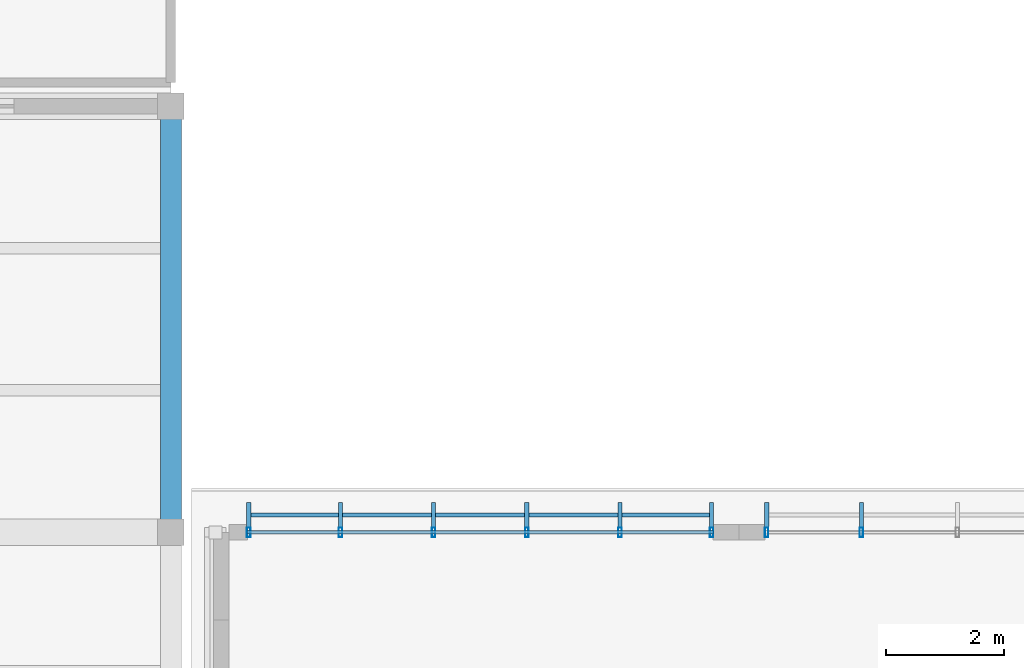
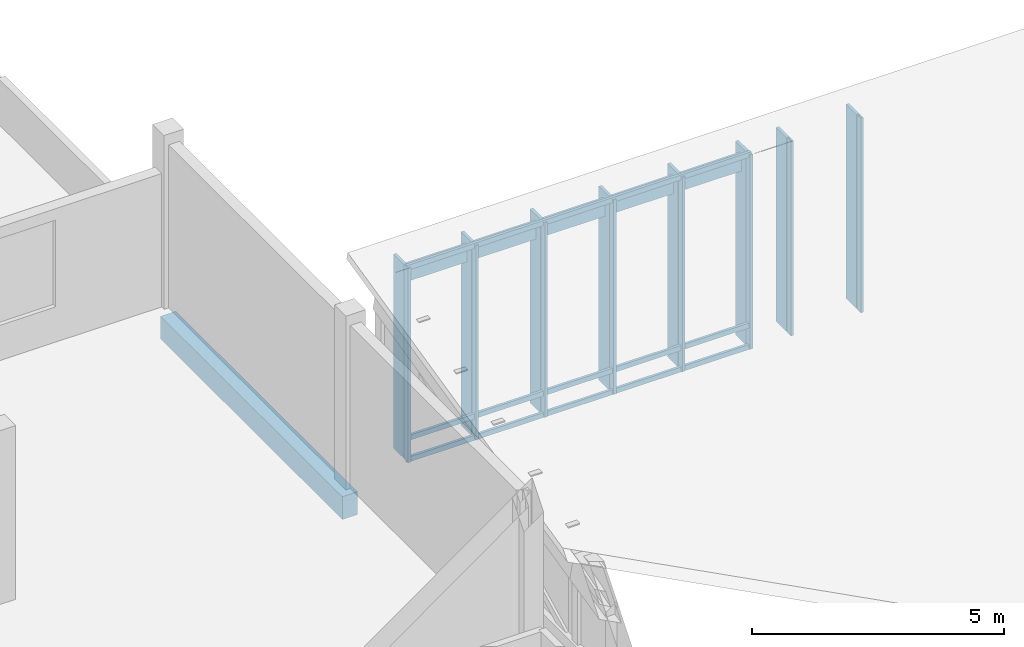
# One storey, part 43 of 182: 20 members, 1 beam, 2 elements without a shape of their own.
"""IFC4 building model written with IfcOpenShell, lengths in metres."""

from ifc_helpers import new_model, si_unit, direction, frame, origin, origin_2d, place, context, subcontext, project, spatial, rectangle, hollow_rectangle, extrude, material, material_profile, profile_set, type_object, element, aggregate, save


model = new_model("IFC4")

# Units and contexts
model_context = context("Model", 3, precision=1e-05, world=origin(), true_north=direction((0.0, 1.0)))
body_context = subcontext(model_context, "Body", "Model", "MODEL_VIEW")
ifc_project = project(units=[si_unit("LENGTHUNIT", "METRE"), si_unit("AREAUNIT", "SQUARE_METRE"), si_unit("VOLUMEUNIT", "CUBIC_METRE"), si_unit("PLANEANGLEUNIT", "RADIAN"), si_unit("MASSUNIT", "GRAM", prefix="KILO")], contexts=[model_context])

# Site, building, storey
site_placement = place(None, origin())
site = spatial("IfcSite", under=ifc_project, at=site_placement, CompositionType="ELEMENT")
building_placement = place(site_placement, origin())
building = spatial("IfcBuilding", under=site, at=building_placement, Name="Chiffa Square Polytechnic", CompositionType="ELEMENT")
storey_placement = place(building_placement, frame((0.0, 0.0, 9.60009765625)))
storey = spatial("IfcBuildingStorey", under=building, at=storey_placement, Name="L02", CompositionType="ELEMENT", Elevation=9.60009765625)

# Beam
ifc_material_1 = material(Name="Concrete C35/45", Category="concrete")
ifc_material_profile_1 = material_profile(ifc_material_1, rectangle(XDim=0.35009765625, YDim=0.550048828125, at=origin_2d()), Name="RC 350x550")
ifc_profile_set_1 = profile_set([ifc_material_profile_1], Name="Concrete C35/45")
beam_type = type_object("IfcBeamType", Name="BM-RC-350X550", PredefinedType="BEAM", material=ifc_profile_set_1)
beam_placement = place(storey_placement, frame((48.0, 43.800048828125, -0.59521484375), z_axis=(0.0, 1.0, 0.0), x_axis=(-1.0, 0.0, 0.0)))
element("IfcBeam", 1, at=beam_placement, inside=storey, type_object=beam_type, Name="Primary floor girder BM-V6-L02-Y-0480-0438", PredefinedType="BEAM", context=body_context, shape_type="SweptSolid", body=[
    extrude(rectangle(XDim=0.35009765625, YDim=0.550048828125, at=origin_2d()), origin(), (0.0, 0.0, 1.0), 7.199951171875),
])

# Curtain wall, members
ifc_material_2 = material(Name="Aluminium EN AW-6060 T66 and glulam shading", Category="wood")
curtain_wall_type_1 = type_object("IfcCurtainWallType", Name="CW-VERT-450X380", PredefinedType="USERDEFINED", material=ifc_material_2)
curtain_wall_1_placement = place(storey_placement, origin())
curtain_wall_1 = element("IfcCurtainWall", 2, at=curtain_wall_1_placement, inside=storey, type_object=curtain_wall_type_1, Name="Curtain wall CW-V4-CLRN-01", ObjectType="CURTAIN WALL", PredefinedType="USERDEFINED")
ifc_material_3 = material(Name="Aluminium EN AW-6060 T66", Category="aluminium")
ifc_material_profile_2 = material_profile(ifc_material_3, hollow_rectangle(XDim=0.06005859375, YDim=0.159912109375, WallThickness=0.00390625, at=origin_2d()), Name="ALU 60x160x4")
ifc_profile_set_2 = profile_set([ifc_material_profile_2], Name="Aluminium EN AW-6060 T66")
member_type_1 = type_object("IfcMemberType", Name="CWM-ALU-65X150", PredefinedType="MULLION", material=ifc_profile_set_2)
member_1_placement = place(storey_placement, frame((57.135009765625, 43.800048828125, 0.039794921875), z_axis=(0.0, 0.0, 1.0), x_axis=(1.0, 0.0, 0.0)))
member_1 = element("IfcMember", 3, at=member_1_placement, type_object=member_type_1, Name="Curtain wall mullion CW-V4-CLRN-01-M00", PredefinedType="MULLION", context=body_context, shape_type="SweptSolid", body=[
    extrude(hollow_rectangle(XDim=0.06005859375, YDim=0.159912109375, WallThickness=0.00390625, at=origin_2d()), origin(), (0.0, 0.0, 1.0), 4.703125),
])
member_2_placement = place(storey_placement, frame((55.5859375, 43.800048828125, 0.039794921875), z_axis=(0.0, 0.0, 1.0), x_axis=(1.0, 0.0, 0.0)))
member_2 = element("IfcMember", 4, at=member_2_placement, type_object=member_type_1, Name="Curtain wall mullion CW-V4-CLRN-01-M01", PredefinedType="MULLION", context=body_context, shape_type="SweptSolid", body=[
    extrude(hollow_rectangle(XDim=0.06005859375, YDim=0.159912109375, WallThickness=0.00390625, at=origin_2d()), origin(), (0.0, 0.0, 1.0), 4.703125),
])
member_3_placement = place(storey_placement, frame((54.011962890625, 43.800048828125, 0.039794921875), z_axis=(0.0, 0.0, 1.0), x_axis=(1.0, 0.0, 0.0)))
member_3 = element("IfcMember", 5, at=member_3_placement, type_object=member_type_1, Name="Curtain wall mullion CW-V4-CLRN-01-M02", PredefinedType="MULLION", context=body_context, shape_type="SweptSolid", body=[
    extrude(hollow_rectangle(XDim=0.06005859375, YDim=0.159912109375, WallThickness=0.00390625, at=origin_2d()), origin(), (0.0, 0.0, 1.0), 4.703125),
])
member_4_placement = place(storey_placement, frame((52.43798828125, 43.800048828125, 0.039794921875), z_axis=(0.0, 0.0, 1.0), x_axis=(1.0, 0.0, 0.0)))
member_4 = element("IfcMember", 6, at=member_4_placement, type_object=member_type_1, Name="Curtain wall mullion CW-V4-CLRN-01-M03", PredefinedType="MULLION", context=body_context, shape_type="SweptSolid", body=[
    extrude(hollow_rectangle(XDim=0.06005859375, YDim=0.159912109375, WallThickness=0.00390625, at=origin_2d()), origin(), (0.0, 0.0, 1.0), 4.703125),
])
member_5_placement = place(storey_placement, frame((50.864013671875, 43.800048828125, 0.039794921875), z_axis=(0.0, 0.0, 1.0), x_axis=(1.0, 0.0, 0.0)))
member_5 = element("IfcMember", 7, at=member_5_placement, type_object=member_type_1, Name="Curtain wall mullion CW-V4-CLRN-01-M04", PredefinedType="MULLION", context=body_context, shape_type="SweptSolid", body=[
    extrude(hollow_rectangle(XDim=0.06005859375, YDim=0.159912109375, WallThickness=0.00390625, at=origin_2d()), origin(), (0.0, 0.0, 1.0), 4.703125),
])
member_6_placement = place(storey_placement, frame((49.31494140625, 43.800048828125, 0.039794921875), z_axis=(0.0, 0.0, 1.0), x_axis=(1.0, 0.0, 0.0)))
member_6 = element("IfcMember", 8, at=member_6_placement, type_object=member_type_1, Name="Curtain wall mullion CW-V4-CLRN-01-M05", PredefinedType="MULLION", context=body_context, shape_type="SweptSolid", body=[
    extrude(hollow_rectangle(XDim=0.06005859375, YDim=0.159912109375, WallThickness=0.00390625, at=origin_2d()), origin(), (0.0, 0.0, 1.0), 4.703125),
])

curtain_wall_type_2 = type_object("IfcCurtainWallType", Name="CW-VERT-300X380", PredefinedType="USERDEFINED", material=ifc_material_2)
curtain_wall_2_placement = place(storey_placement, origin())
curtain_wall_2 = element("IfcCurtainWall", 9, at=curtain_wall_2_placement, inside=storey, type_object=curtain_wall_type_2, Name="Curtain wall CW-V4-CLRN-02", ObjectType="CURTAIN WALL", PredefinedType="USERDEFINED")
member_7_placement = place(storey_placement, frame((59.6640625, 43.800048828125, 0.039794921875), z_axis=(0.0, 0.0, 1.0), x_axis=(1.0, 0.0, 0.0)))
member_7 = element("IfcMember", 10, at=member_7_placement, type_object=member_type_1, Name="Curtain wall mullion CW-V4-CLRN-02-M04", PredefinedType="MULLION", context=body_context, shape_type="SweptSolid", body=[
    extrude(hollow_rectangle(XDim=0.06005859375, YDim=0.159912109375, WallThickness=0.00390625, at=origin_2d()), origin(), (0.0, 0.0, 1.0), 4.703125),
])
member_8_placement = place(storey_placement, frame((58.06494140625, 43.800048828125, 0.039794921875), z_axis=(0.0, 0.0, 1.0), x_axis=(1.0, 0.0, 0.0)))
member_8 = element("IfcMember", 11, at=member_8_placement, type_object=member_type_1, Name="Curtain wall mullion CW-V4-CLRN-02-M05", PredefinedType="MULLION", context=body_context, shape_type="SweptSolid", body=[
    extrude(hollow_rectangle(XDim=0.06005859375, YDim=0.159912109375, WallThickness=0.00390625, at=origin_2d()), origin(), (0.0, 0.0, 1.0), 4.703125),
])

# Member
ifc_material_4 = material(Name="Glulam GL28h", Category="wood")
ifc_material_profile_3 = material_profile(ifc_material_4, rectangle(XDim=0.070068359375, YDim=0.419921875, at=origin_2d()), Name="GL28h 70x420")
ifc_profile_set_3 = profile_set([ifc_material_profile_3], Name="Glulam GL28h")
member_type_2 = type_object("IfcMemberType", Name="CWM-GL-70X420", PredefinedType="MULLION", material=ifc_profile_set_3)
member_9_placement = place(storey_placement, frame((57.135009765625, 44.092041015625, 0.0498046875), z_axis=(0.0, 0.0, 1.0), x_axis=(-1.0, 0.0, 0.0)))
member_9 = element("IfcMember", 12, at=member_9_placement, type_object=member_type_2, Name="Exterior glulam solar fin CW-V4-CLRN-01-FN00", PredefinedType="MULLION", context=body_context, shape_type="SweptSolid", body=[
    extrude(rectangle(XDim=0.070068359375, YDim=0.419921875, at=origin_2d()), origin(), (0.0, 0.0, 1.0), 4.68310546875),
])

member_10_placement = place(storey_placement, frame((55.5859375, 44.092041015625, 0.0498046875), z_axis=(0.0, 0.0, 1.0), x_axis=(-1.0, 0.0, 0.0)))
member_10 = element("IfcMember", 13, at=member_10_placement, type_object=member_type_2, Name="Exterior glulam solar fin CW-V4-CLRN-01-FN01", PredefinedType="MULLION", context=body_context, shape_type="SweptSolid", body=[
    extrude(rectangle(XDim=0.070068359375, YDim=0.419921875, at=origin_2d()), origin(), (0.0, 0.0, 1.0), 4.68310546875),
])

member_11_placement = place(storey_placement, frame((54.011962890625, 44.092041015625, 0.0498046875), z_axis=(0.0, 0.0, 1.0), x_axis=(-1.0, 0.0, 0.0)))
member_11 = element("IfcMember", 14, at=member_11_placement, type_object=member_type_2, Name="Exterior glulam solar fin CW-V4-CLRN-01-FN02", PredefinedType="MULLION", context=body_context, shape_type="SweptSolid", body=[
    extrude(rectangle(XDim=0.070068359375, YDim=0.419921875, at=origin_2d()), origin(), (0.0, 0.0, 1.0), 4.68310546875),
])

member_12_placement = place(storey_placement, frame((52.43798828125, 44.092041015625, 0.0498046875), z_axis=(0.0, 0.0, 1.0), x_axis=(-1.0, 0.0, 0.0)))
member_12 = element("IfcMember", 15, at=member_12_placement, type_object=member_type_2, Name="Exterior glulam solar fin CW-V4-CLRN-01-FN03", PredefinedType="MULLION", context=body_context, shape_type="SweptSolid", body=[
    extrude(rectangle(XDim=0.070068359375, YDim=0.419921875, at=origin_2d()), origin(), (0.0, 0.0, 1.0), 4.68310546875),
])

member_13_placement = place(storey_placement, frame((50.864013671875, 44.092041015625, 0.0498046875), z_axis=(0.0, 0.0, 1.0), x_axis=(-1.0, 0.0, 0.0)))
member_13 = element("IfcMember", 16, at=member_13_placement, type_object=member_type_2, Name="Exterior glulam solar fin CW-V4-CLRN-01-FN04", PredefinedType="MULLION", context=body_context, shape_type="SweptSolid", body=[
    extrude(rectangle(XDim=0.070068359375, YDim=0.419921875, at=origin_2d()), origin(), (0.0, 0.0, 1.0), 4.68310546875),
])

member_14_placement = place(storey_placement, frame((49.31494140625, 44.092041015625, 0.0498046875), z_axis=(0.0, 0.0, 1.0), x_axis=(-1.0, 0.0, 0.0)))
member_14 = element("IfcMember", 17, at=member_14_placement, type_object=member_type_2, Name="Exterior glulam solar fin CW-V4-CLRN-01-FN05", PredefinedType="MULLION", context=body_context, shape_type="SweptSolid", body=[
    extrude(rectangle(XDim=0.070068359375, YDim=0.419921875, at=origin_2d()), origin(), (0.0, 0.0, 1.0), 4.68310546875),
])

member_15_placement = place(storey_placement, frame((59.6640625, 44.092041015625, 0.0498046875), z_axis=(0.0, 0.0, 1.0), x_axis=(-1.0, 0.0, 0.0)))
member_15 = element("IfcMember", 18, at=member_15_placement, type_object=member_type_2, Name="Exterior glulam solar fin CW-V4-CLRN-02-FN04", PredefinedType="MULLION", context=body_context, shape_type="SweptSolid", body=[
    extrude(rectangle(XDim=0.070068359375, YDim=0.419921875, at=origin_2d()), origin(), (0.0, 0.0, 1.0), 4.68310546875),
])

member_16_placement = place(storey_placement, frame((58.06494140625, 44.092041015625, 0.0498046875), z_axis=(0.0, 0.0, 1.0), x_axis=(-1.0, 0.0, 0.0)))
member_16 = element("IfcMember", 19, at=member_16_placement, type_object=member_type_2, Name="Exterior glulam solar fin CW-V4-CLRN-02-FN05", PredefinedType="MULLION", context=body_context, shape_type="SweptSolid", body=[
    extrude(rectangle(XDim=0.070068359375, YDim=0.419921875, at=origin_2d()), origin(), (0.0, 0.0, 1.0), 4.68310546875),
])

aggregate(curtain_wall_2, [member_7, member_15, member_8, member_16])

ifc_material_profile_4 = material_profile(ifc_material_3, hollow_rectangle(XDim=0.06005859375, YDim=0.1201171875, WallThickness=0.00390625, at=origin_2d()), Name="ALU 60x120x4")
ifc_profile_set_4 = profile_set([ifc_material_profile_4], Name="Aluminium EN AW-6060 T66")
member_type_3 = type_object("IfcMemberType", Name="CWT-ALU-65X120", PredefinedType="USERDEFINED", material=ifc_profile_set_4)
member_17_placement = place(storey_placement, frame((57.162109375, 43.800048828125, 0.06982421875), z_axis=(-1.0, 0.0, 0.0), x_axis=(0.0, -1.0, 0.0)))
member_17 = element("IfcMember", 20, at=member_17_placement, type_object=member_type_3, Name="Curtain wall transom CW-V4-CLRN-01-T01", ObjectType="TRANSOM", PredefinedType="USERDEFINED", context=body_context, shape_type="SweptSolid", body=[
    extrude(hollow_rectangle(XDim=0.06005859375, YDim=0.1201171875, WallThickness=0.00390625, at=origin_2d()), origin(), (0.0, 0.0, 1.0), 7.8740234375),
])

member_18_placement = place(storey_placement, frame((57.162109375, 43.800048828125, 0.58984375), z_axis=(-1.0, 0.0, 0.0), x_axis=(0.0, -1.0, 0.0)))
member_18 = element("IfcMember", 21, at=member_18_placement, type_object=member_type_3, Name="Curtain wall transom CW-V4-CLRN-01-T02", ObjectType="TRANSOM", PredefinedType="USERDEFINED", context=body_context, shape_type="SweptSolid", body=[
    extrude(hollow_rectangle(XDim=0.06005859375, YDim=0.1201171875, WallThickness=0.00390625, at=origin_2d()), origin(), (0.0, 0.0, 1.0), 7.8740234375),
])

member_19_placement = place(storey_placement, frame((57.162109375, 43.800048828125, 4.712890625), z_axis=(-1.0, 0.0, 0.0), x_axis=(0.0, -1.0, 0.0)))
member_19 = element("IfcMember", 22, at=member_19_placement, type_object=member_type_3, Name="Curtain wall transom CW-V4-CLRN-01-T03", ObjectType="TRANSOM", PredefinedType="USERDEFINED", context=body_context, shape_type="SweptSolid", body=[
    extrude(hollow_rectangle(XDim=0.06005859375, YDim=0.1201171875, WallThickness=0.00390625, at=origin_2d()), origin(), (0.0, 0.0, 1.0), 7.8740234375),
])

ifc_material_profile_5 = material_profile(ifc_material_4, rectangle(XDim=0.070068359375, YDim=0.419921875, at=origin_2d()), Name="GL28h 70x420")
ifc_profile_set_5 = profile_set([ifc_material_profile_5], Name="Glulam GL28h")
member_type_4 = type_object("IfcMemberType", Name="CWT-GL-70X420", PredefinedType="USERDEFINED", material=ifc_profile_set_5)
member_20_placement = place(storey_placement, frame((57.135009765625, 44.092041015625, 4.36279296875), z_axis=(-1.0, 0.0, 0.0), x_axis=(0.0, -1.0, 0.0)))
member_20 = element("IfcMember", 23, at=member_20_placement, type_object=member_type_4, Name="Exterior glulam brise-soleil CW-V4-CLRN-01-BS01", ObjectType="TRANSOM", PredefinedType="USERDEFINED", context=body_context, shape_type="SweptSolid", body=[
    extrude(rectangle(XDim=0.070068359375, YDim=0.419921875, at=origin_2d()), origin(), (0.0, 0.0, 1.0), 7.820068359375),
])

aggregate(curtain_wall_1, [member_1, member_9, member_2, member_10, member_3, member_11, member_4, member_12, member_5, member_13, member_6, member_14, member_17, member_18, member_19, member_20])

save(model, "model.ifc")
